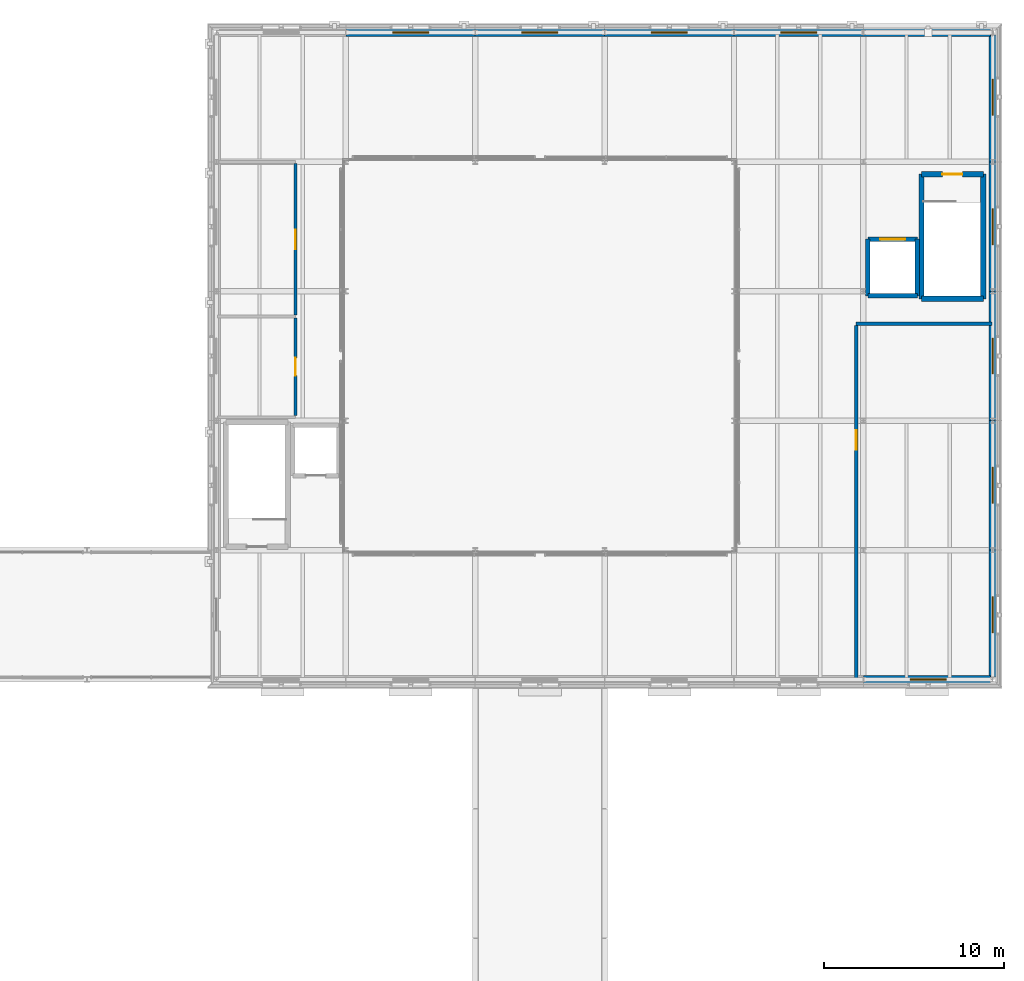
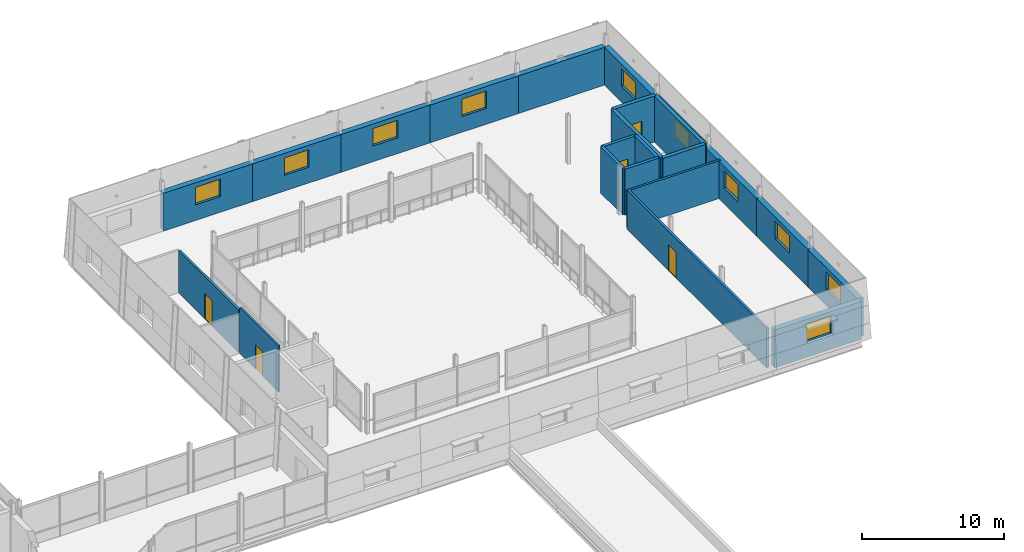
# One storey, part 77 of 115: 23 walls, 10 windows, 5 doors, 15 openings.
"""IFC4 building model written with IfcOpenShell, lengths in metres."""

import ifcopenshell
import ifcopenshell.guid

model = None  # the IFC model being written
_history = None  # IfcOwnerHistory: only IFC2X3 demands one
_inside = {}  # id of a spatial element -> (the spatial element, [elements in it])
_under = {}  # id of a project, library or spatial element -> (it, [spatial elements below it])
_declared = {}  # id of a project -> (the project, [libraries it declares])
_typed = {}  # id of a type object -> (the type object, [elements of that type])
_made_of = {}  # id of a material, layer set ... -> (it, [elements and type objects made of it])


def new_model(schema):
    """Start an empty IFC model of exactly this schema.

    Asked for "IFC4X3", IfcOpenShell would pick the latest addendum, in which some entities
    have other attributes; the version numbers below select the first issue.
    IFC2X3 requires an IfcOwnerHistory on every rooted entity: one is made here for all.
    """
    global model, _history
    if schema == "IFC4X3":
        model = ifcopenshell.file(schema_version=(4, 3, 0, 0))
    else:
        model = ifcopenshell.file(schema=schema)
    _inside.clear()
    _under.clear()
    _declared.clear()
    _typed.clear()
    _made_of.clear()
    _history = None
    if model.schema == "IFC2X3":
        org = make("IfcOrganization", Name="unknown")
        user = make(
            "IfcPersonAndOrganization",
            ThePerson=make("IfcPerson", FamilyName="unknown"),
            TheOrganization=org,
        )
        app = make(
            "IfcApplication",
            ApplicationDeveloper=org,
            Version="unknown",
            ApplicationFullName="unknown",
            ApplicationIdentifier="unknown",
        )
        _history = make(
            "IfcOwnerHistory",
            OwningUser=user,
            OwningApplication=app,
            ChangeAction="ADDED",
            CreationDate=0,
        )
    return model


def make(cls, **values):
    """One entity of the class cls with the attributes given. An attribute that is None is left unset."""
    return model.create_entity(
        cls, **{name: value for name, value in values.items() if value is not None}
    )


def rooted(cls, **values):
    """An entity with a GlobalId (a new one), such as an element, a storey or a relation."""
    return make(cls, GlobalId=ifcopenshell.guid.new(), OwnerHistory=_history, **values)


def si_unit(unit_type, name, prefix=None):
    """IfcSIUnit, for example si_unit("LENGTHUNIT", "METRE", prefix="MILLI")."""
    return make("IfcSIUnit", UnitType=unit_type, Prefix=prefix, Name=name)


def assignment(units):
    """IfcUnitAssignment: the units of a project."""
    return None if units is None else make("IfcUnitAssignment", Units=units)


def point(xyz):
    """IfcCartesianPoint."""
    return None if xyz is None else make("IfcCartesianPoint", Coordinates=xyz)


def direction(xyz):
    """IfcDirection."""
    return None if xyz is None else make("IfcDirection", DirectionRatios=xyz)


def frame(location, z_axis=None, x_axis=None):
    """IfcAxis2Placement3D, a coordinate frame: its origin and axes. An axis left out is left unset."""
    return make(
        "IfcAxis2Placement3D",
        Location=point(location),
        Axis=direction(z_axis),
        RefDirection=direction(x_axis),
    )


def frame_2d(location, x_axis=None):
    """IfcAxis2Placement2D, a coordinate frame in the plane: its origin and x axis."""
    return make(
        "IfcAxis2Placement2D", Location=point(location), RefDirection=direction(x_axis)
    )


def origin():
    """The frame at (0, 0, 0) with its axes left unset."""
    return frame((0.0, 0.0, 0.0))


def place(relative_to, where):
    """IfcLocalPlacement: puts the frame where relative to a parent placement (None: the world)."""
    return make(
        "IfcLocalPlacement", PlacementRelTo=relative_to, RelativePlacement=where
    )


def context(
    kind, dimensions, precision=None, world=None, true_north=None, identifier=None
):
    """IfcGeometricRepresentationContext, for example the 3D "Model" context."""
    return make(
        "IfcGeometricRepresentationContext",
        ContextIdentifier=identifier,
        ContextType=kind,
        CoordinateSpaceDimension=dimensions,
        Precision=precision,
        WorldCoordinateSystem=world,
        TrueNorth=true_north,
    )


def subcontext(parent, identifier, kind, view, scale=None):
    """IfcGeometricRepresentationSubContext, for example "Body" below "Model"."""
    return make(
        "IfcGeometricRepresentationSubContext",
        ContextIdentifier=identifier,
        ContextType=kind,
        ParentContext=parent,
        TargetScale=scale,
        TargetView=view,
    )


def project(units=None, contexts=None):
    """IfcProject with its units and contexts."""
    return rooted(
        "IfcProject",
        Name="project",
        RepresentationContexts=contexts,
        UnitsInContext=assignment(units),
    )


def spatial(cls, under=None, at=None, **own):
    """A site, building, storey or space (cls), placed at a placement, below another one or the project."""
    s = rooted(cls, ObjectPlacement=at, **own)
    if under is not None:
        _under.setdefault(under.id(), (under, []))[1].append(s)
    return s


def profile(cls, at=None, kind="AREA", **sizes):
    """A parametric profile (cls). Its sizes go by their IFC names, for example OverallWidth=200.0."""
    return make(cls, ProfileType=kind, Position=at, **sizes)


def rectangle(**sizes):
    """IfcRectangleProfileDef."""
    return profile("IfcRectangleProfileDef", **sizes)


def extrude(swept, where, along, depth):
    """IfcExtrudedAreaSolid: the profile swept, set in the frame where, extruded along a direction by depth."""
    return make(
        "IfcExtrudedAreaSolid",
        SweptArea=swept,
        Position=where,
        ExtrudedDirection=direction(along),
        Depth=depth,
    )


def shape(context_of_items, identifier, shape_type, items):
    """IfcShapeRepresentation: the items that make up one representation, for example the "Body"."""
    return make(
        "IfcShapeRepresentation",
        ContextOfItems=context_of_items,
        RepresentationIdentifier=identifier,
        RepresentationType=shape_type,
        Items=items,
    )


def material(Name=None, Category=None):
    """IfcMaterial."""
    return make("IfcMaterial", Name=Name, Category=Category)


def layer(
    of_material, thickness, ventilated=None, Name=None, Category=None, Priority=None
):
    """IfcMaterialLayer: one layer of a wall or slab, of a material (None: an air gap)."""
    return make(
        "IfcMaterialLayer",
        Material=of_material,
        LayerThickness=thickness,
        IsVentilated=ventilated,
        Name=Name,
        Category=Category,
        Priority=Priority,
    )


def layer_set(layers, Name=None):
    """IfcMaterialLayerSet."""
    return make("IfcMaterialLayerSet", MaterialLayers=layers, LayerSetName=Name)


def made_of(thing, what):
    """Note that an element or type object is made of a material, layer set ...; save() writes the relation."""
    if what is not None:
        _made_of.setdefault(what.id(), (what, []))[1].append(thing)
    return thing


def type_object(cls, material=None, **own):
    """A type object (cls), such as IfcWallType, which elements share."""
    return made_of(rooted(cls, **own), material)


def element(
    cls,
    number,
    at=None,
    inside=None,
    cuts=None,
    type_object=None,
    material=None,
    context=None,
    identifier="Body",
    shape_type=None,
    held_by="IfcProductDefinitionShape",
    body=None,
    shapes=None,
    **own,
):
    """One element of the class cls, such as IfcWall. Its Tag is "e" and its number.

    at: its placement. inside: the storey or other place that contains it. cuts: it is an
    opening in that element (IfcRelVoidsElement). A single representation is given by context,
    identifier, shape_type and body (its items); several are given by shapes. held_by: the class
    of the entity that holds the representations. save() writes the other relations.
    """
    e = rooted(cls, Tag="e%d" % number, ObjectPlacement=at, **own)
    if body is not None:
        shapes = [shape(context, identifier, shape_type, body)]
    if shapes is not None:
        e.Representation = make(held_by, Representations=shapes)
    if inside is not None:
        _inside.setdefault(inside.id(), (inside, []))[1].append(e)
    if cuts is not None:
        rooted(
            "IfcRelVoidsElement", RelatingBuildingElement=cuts, RelatedOpeningElement=e
        )
    if type_object is not None:
        _typed.setdefault(type_object.id(), (type_object, []))[1].append(e)
    return made_of(e, material)


def fill(opening, filler):
    """IfcRelFillsElement: the door or window that sits in an opening."""
    return rooted(
        "IfcRelFillsElement",
        RelatingOpeningElement=opening,
        RelatedBuildingElement=filler,
    )


def aggregate(whole, parts):
    """IfcRelAggregates: a whole, such as a stair, and the parts it consists of."""
    return rooted("IfcRelAggregates", RelatingObject=whole, RelatedObjects=parts)


def save(model, path):
    """Write the relations noted so far, then the file.

    IfcRelAggregates (storeys below a building ...), IfcRelContainedInSpatialStructure (elements
    in a storey), IfcRelDefinesByType, IfcRelAssociatesMaterial and IfcRelDeclares: one each for
    every whole, place, type object, material and project.
    """
    for whole, parts in _under.values():
        aggregate(whole, parts)
    for where, things in _inside.values():
        rooted(
            "IfcRelContainedInSpatialStructure",
            RelatedElements=things,
            RelatingStructure=where,
        )
    for kind, things in _typed.values():
        rooted("IfcRelDefinesByType", RelatedObjects=things, RelatingType=kind)
    for what, things in _made_of.values():
        rooted("IfcRelAssociatesMaterial", RelatedObjects=things, RelatingMaterial=what)
    for by, libraries in _declared.values():
        rooted("IfcRelDeclares", RelatingContext=by, RelatedDefinitions=libraries)
    model.write(path)


model = new_model("IFC4")

# Units and contexts
model_context = context("Model", 3, precision=1e-05, world=origin(), true_north=direction((0.0, 1.0)))
body_context = subcontext(model_context, "Body", "Model", "MODEL_VIEW")
ifc_project = project(units=[si_unit("LENGTHUNIT", "METRE"), si_unit("AREAUNIT", "SQUARE_METRE"), si_unit("VOLUMEUNIT", "CUBIC_METRE"), si_unit("PLANEANGLEUNIT", "RADIAN"), si_unit("MASSUNIT", "GRAM", prefix="KILO")], contexts=[model_context])

# Site, building, storey
site_placement = place(None, origin())
site = spatial("IfcSite", under=ifc_project, at=site_placement, CompositionType="ELEMENT")
building_placement = place(site_placement, origin())
building = spatial("IfcBuilding", under=site, at=building_placement, Name="Narikvali Park Central Library", CompositionType="ELEMENT")
storey_placement = place(building_placement, frame((0.0, 0.0, 10.199951171875)))
storey = spatial("IfcBuildingStorey", under=building, at=storey_placement, Name="L02", CompositionType="ELEMENT", Elevation=10.199951171875)

# Wall, opening, door
ifc_material_1 = material(Name="Moisture-Resistant Cement Board on Steel Studs", Category="steel")
ifc_layer_1 = layer(ifc_material_1, 0.14990234375, Name="Moisture-Resistant Cement Board on Steel Studs")
ifc_layer_set_1 = layer_set([ifc_layer_1], Name="Moisture-Resistant Cement Board on Steel Studs")
wall_type_1 = type_object("IfcWallType", Name="Moisture-Resistant WC Partition 150", PredefinedType="PARTITIONING", material=ifc_layer_set_1)
wall_1_placement = place(storey_placement, frame((126.800048828125, 93.876953125, 0.0), z_axis=(0.0, 0.0, 1.0), x_axis=(0.0, 1.0, 0.0)))
wall_1 = element("IfcWall", 1, at=wall_1_placement, inside=storey, type_object=wall_type_1, Name="Studio Accessible WC L02 Partition E", PredefinedType="PARTITIONING", context=body_context, shape_type="SweptSolid", body=[
    extrude(rectangle(XDim=5.446044921875, YDim=0.14990234375, at=frame_2d((2.72314453125, 0.0))), origin(), (0.0, 0.0, 1.0), 3.945068359375),
])
opening_1_placement = place(wall_1_placement, frame((2.23291015625, 0.0, 0.0)))
opening_1 = element("IfcOpeningElement", 2, at=opening_1_placement, cuts=wall_1, Name="Opening ID-0011", PredefinedType="OPENING", context=body_context, shape_type="SweptSolid", body=[
    extrude(rectangle(XDim=0.97998046875, YDim=2.10009765625, at=frame_2d((0.489990234375, 1.050048828125))), frame((0.0, 0.0869140625, 0.0), z_axis=(0.0, -1.0, 0.0), x_axis=(1.0, 0.0, 0.0)), (0.0, 0.0, 1.0), 0.173828125),
])
ifc_material_2 = material(Name="Laminate Faced Hardwood Core", Category="wood")
door_type_1 = type_object("IfcDoorType", Name="Accessible WC Outward-Opening Door 980x2100", OperationType="SINGLE_SWING_RIGHT", PredefinedType="DOOR", material=ifc_material_2)
door_1_placement = place(opening_1_placement, frame((0.97998046875, 0.0, 0.0), z_axis=(0.0, 0.0, 1.0), x_axis=(-1.0, 0.0, 0.0)))
door_1 = element("IfcDoor", 3, at=door_1_placement, inside=storey, type_object=door_type_1, Name="Studio Accessible WC L02 Door ID-0011", OperationType="SINGLE_SWING_LEFT", OverallHeight=2.10009765625, OverallWidth=0.97998046875, PredefinedType="DOOR", context=body_context, shape_type="SweptSolid", body=[
    extrude(rectangle(XDim=0.97998046875, YDim=2.10009765625, at=frame_2d((0.489990234375, 1.050048828125))), frame((0.0, 0.02490234375, 0.0), z_axis=(0.0, -1.0, 0.0), x_axis=(1.0, 0.0, 0.0)), (0.0, 0.0, 1.0), 0.050048828125),
])
fill(opening_1, door_1)

# Wall
ifc_material_3 = material(Name="Acoustic Gypsum on Steel Studs", Category="steel")
ifc_layer_2 = layer(ifc_material_3, 0.179931640625, Name="Acoustic Gypsum on Steel Studs")
ifc_layer_set_2 = layer_set([ifc_layer_2], Name="Acoustic Gypsum on Steel Studs")
wall_type_2 = type_object("IfcWallType", Name="Reading Room Acoustic Partition 180", PredefinedType="PARTITIONING", material=ifc_layer_set_2)
wall_2_placement = place(storey_placement, frame((158.0, 99.0, 0.0), z_axis=(0.0, 0.0, 1.0), x_axis=(1.0, 0.0, 0.0)))
element("IfcWall", 4, at=wall_2_placement, inside=storey, type_object=wall_type_2, Name="Oral History Recording Studio Partition N", PredefinedType="PARTITIONING", context=body_context, shape_type="SweptSolid", body=[
    extrude(rectangle(XDim=7.544921875, YDim=0.179931640625, at=frame_2d((3.7724609375, 0.0))), origin(), (0.0, 0.0, 1.0), 3.2451171875),
])

# Wall, opening, door
wall_3_placement = place(storey_placement, frame((158.0, 79.2548828125, 0.0), z_axis=(0.0, 0.0, 1.0), x_axis=(0.0, 1.0, 0.0)))
wall_3 = element("IfcWall", 5, at=wall_3_placement, inside=storey, type_object=wall_type_2, Name="Oral History Recording Studio Partition W", PredefinedType="PARTITIONING", context=body_context, shape_type="SweptSolid", body=[
    extrude(rectangle(XDim=19.653076171875, YDim=0.179931640625, at=frame_2d((9.82666015625, 0.0))), origin(), (0.0, 0.0, 1.0), 3.39501953125),
])
opening_2_placement = place(wall_3_placement, frame((12.739013671875, 0.0, 0.0)))
opening_2 = element("IfcOpeningElement", 6, at=opening_2_placement, cuts=wall_3, Name="Opening ID-0074", PredefinedType="OPENING", context=body_context, shape_type="SweptSolid", body=[
    extrude(rectangle(XDim=1.080078125, YDim=2.199951171875, at=frame_2d((0.5400390625, 1.10009765625))), frame((0.0, 0.10205078125, 0.0), z_axis=(0.0, -1.0, 0.0), x_axis=(1.0, 0.0, 0.0)), (0.0, 0.0, 1.0), 0.203857421875),
])
ifc_material_4 = material(Name="Heavy Acoustic Steel Core Leaf", Category="steel")
door_type_2 = type_object("IfcDoorType", Name="Media Recording Studio Acoustic Door 1080x2200", OperationType="SINGLE_SWING_RIGHT", PredefinedType="DOOR", material=ifc_material_4)
door_2_placement = place(opening_2_placement, frame((1.080078125, 0.0, 0.0), z_axis=(0.0, 0.0, 1.0), x_axis=(-1.0, 0.0, 0.0)))
door_2 = element("IfcDoor", 7, at=door_2_placement, inside=storey, type_object=door_type_2, Name="Oral History Recording Studio Door ID-0074", OperationType="SINGLE_SWING_RIGHT", OverallHeight=2.199951171875, OverallWidth=1.080078125, PredefinedType="DOOR", context=body_context, shape_type="SweptSolid", body=[
    extrude(rectangle(XDim=1.080078125, YDim=2.199951171875, at=frame_2d((0.5400390625, 1.10009765625))), frame((0.0, 0.02490234375, 0.0), z_axis=(0.0, -1.0, 0.0), x_axis=(1.0, 0.0, 0.0)), (0.0, 0.0, 1.0), 0.050048828125),
])
fill(opening_2, door_2)

wall_4_placement = place(storey_placement, frame((126.800048828125, 99.47705078125, 0.0), z_axis=(0.0, 0.0, 1.0), x_axis=(0.0, 1.0, 0.0)))
wall_4 = element("IfcWall", 8, at=wall_4_placement, inside=storey, type_object=wall_type_2, Name="Acoustic Broadcast Control Room Partition E", PredefinedType="PARTITIONING", context=body_context, shape_type="SweptSolid", body=[
    extrude(rectangle(XDim=8.430908203125, YDim=0.179931640625, at=frame_2d((4.21533203125, 0.0))), origin(), (0.0, 0.0, 1.0), 3.635009765625),
])
opening_3_placement = place(wall_4_placement, frame((3.675537109375, 0.0, 0.0)))
opening_3 = element("IfcOpeningElement", 9, at=opening_3_placement, cuts=wall_4, Name="Opening ID-0075", PredefinedType="OPENING", context=body_context, shape_type="SweptSolid", body=[
    extrude(rectangle(XDim=1.080078125, YDim=2.199951171875, at=frame_2d((0.5400390625, 1.10009765625))), frame((0.0, 0.10205078125, 0.0), z_axis=(0.0, -1.0, 0.0), x_axis=(1.0, 0.0, 0.0)), (0.0, 0.0, 1.0), 0.203857421875),
])
door_3_placement = place(opening_3_placement, origin())
door_3 = element("IfcDoor", 10, at=door_3_placement, inside=storey, type_object=door_type_2, Name="Acoustic Broadcast Control Room Door ID-0075", OperationType="SINGLE_SWING_LEFT", OverallHeight=2.199951171875, OverallWidth=1.080078125, PredefinedType="DOOR", context=body_context, shape_type="SweptSolid", body=[
    extrude(rectangle(XDim=1.080078125, YDim=2.199951171875, at=frame_2d((0.5400390625, 1.10009765625))), frame((0.0, 0.02490234375, 0.0), z_axis=(0.0, -1.0, 0.0), x_axis=(1.0, 0.0, 0.0)), (0.0, 0.0, 1.0), 0.050048828125),
])
fill(opening_3, door_3)

# Walls
ifc_material_5 = material(Name="Concrete C40/50", Category="concrete")
ifc_layer_3 = layer(ifc_material_5, 0.25, Name="Concrete C40/50")
ifc_layer_set_3 = layer_set([ifc_layer_3], Name="Concrete C40/50")
wall_type_3 = type_object("IfcWallType", Name="Reinforced Concrete Lift Shaft Wall 250", PredefinedType="SHEAR", material=ifc_layer_set_3)
wall_5_placement = place(storey_placement, frame((158.64990234375, 100.550048828125, 0.0), z_axis=(0.0, 0.0, 1.0), x_axis=(1.0, 0.0, 0.0)))
element("IfcWall", 11, at=wall_5_placement, inside=storey, type_object=wall_type_3, Name="GL-01 L02 Lift Shaft Wall S", PredefinedType="SHEAR", context=body_context, shape_type="SweptSolid", body=[
    extrude(rectangle(XDim=2.75, YDim=0.25, at=frame_2d((1.375, 0.0))), origin(), (0.0, 0.0, 1.0), 3.9599609375),
])
wall_6_placement = place(storey_placement, frame((161.39990234375, 100.550048828125, 0.0), z_axis=(0.0, 0.0, 1.0), x_axis=(0.0, 1.0, 0.0)))
element("IfcWall", 12, at=wall_6_placement, inside=storey, type_object=wall_type_3, Name="GL-01 L02 Lift Shaft Wall E", PredefinedType="SHEAR", context=body_context, shape_type="SweptSolid", body=[
    extrude(rectangle(XDim=3.14990234375, YDim=0.25, at=frame_2d((1.574951171875, 0.0))), origin(), (0.0, 0.0, 1.0), 3.9599609375),
])

# Wall, opening, door
wall_7_placement = place(storey_placement, frame((161.39990234375, 103.699951171875, 0.0), z_axis=(0.0, 0.0, 1.0), x_axis=(-1.0, 0.0, 0.0)))
wall_7 = element("IfcWall", 13, at=wall_7_placement, inside=storey, type_object=wall_type_3, Name="GL-01 L02 Lift Shaft Wall N", PredefinedType="SHEAR", context=body_context, shape_type="SweptSolid", body=[
    extrude(rectangle(XDim=2.75, YDim=0.25, at=frame_2d((1.375, 0.0))), origin(), (0.0, 0.0, 1.0), 3.9599609375),
])
opening_4_placement = place(wall_7_placement, frame((0.675048828125, 0.0, 0.0)))
opening_4 = element("IfcOpeningElement", 14, at=opening_4_placement, cuts=wall_7, Name="Opening LD-021", PredefinedType="OPENING", context=body_context, shape_type="SweptSolid", body=[
    extrude(rectangle(XDim=1.39990234375, YDim=2.199951171875, at=frame_2d((0.699951171875, 1.10009765625))), frame((0.0, 0.136962890625, 0.0), z_axis=(0.0, -1.0, 0.0), x_axis=(1.0, 0.0, 0.0)), (0.0, 0.0, 1.0), 0.27392578125),
])
ifc_material_6 = material(Name="Brushed Stainless Steel S355", Category="steel")
door_type_3 = type_object("IfcDoorType", Name="Book Goods Lift Sliding Landing Door 1400x2200", OperationType="DOUBLE_DOOR_SLIDING", PredefinedType="DOOR", material=ifc_material_6)
door_4_placement = place(opening_4_placement, origin())
door_4 = element("IfcDoor", 15, at=door_4_placement, inside=storey, type_object=door_type_3, Name="GL-01 L02 Lift Landing Sliding Door LD-021", OperationType="DOUBLE_DOOR_SLIDING", OverallHeight=2.199951171875, OverallWidth=1.39990234375, PredefinedType="DOOR", context=body_context, shape_type="SweptSolid", body=[
    extrude(rectangle(XDim=1.39990234375, YDim=2.199951171875, at=frame_2d((0.699951171875, 1.10009765625))), frame((0.0, 0.02490234375, 0.0), z_axis=(0.0, -1.0, 0.0), x_axis=(1.0, 0.0, 0.0)), (0.0, 0.0, 1.0), 0.050048828125),
])
fill(opening_4, door_4)

# Walls
wall_8_placement = place(storey_placement, frame((158.64990234375, 103.699951171875, 0.0), z_axis=(0.0, 0.0, 1.0), x_axis=(0.0, -1.0, 0.0)))
element("IfcWall", 16, at=wall_8_placement, inside=storey, type_object=wall_type_3, Name="GL-01 L02 Lift Shaft Wall W", PredefinedType="SHEAR", context=body_context, shape_type="SweptSolid", body=[
    extrude(rectangle(XDim=3.14990234375, YDim=0.25, at=frame_2d((1.574951171875, 0.0))), origin(), (0.0, 0.0, 1.0), 3.9599609375),
])
ifc_layer_4 = layer(ifc_material_5, 0.300048828125, Name="Concrete C40/50")
ifc_layer_set_4 = layer_set([ifc_layer_4], Name="Concrete C40/50")
wall_type_4 = type_object("IfcWallType", Name="Reinforced Concrete Shear Wall 300", PredefinedType="SHEAR", material=ifc_layer_set_4)
wall_9_placement = place(storey_placement, frame((161.6298828125, 100.3798828125, 0.0), z_axis=(0.0, 0.0, 1.0), x_axis=(1.0, 0.0, 0.0)))
element("IfcWall", 17, at=wall_9_placement, inside=storey, type_object=wall_type_4, Name="C3B L02 Stair Core Shear Wall S", PredefinedType="SHEAR", context=body_context, shape_type="SweptSolid", body=[
    extrude(rectangle(XDim=3.440185546875, YDim=0.300048828125, at=frame_2d((1.72021484375, 0.0))), origin(), (0.0, 0.0, 1.0), 3.9599609375),
])
wall_10_placement = place(storey_placement, frame((165.070068359375, 100.3798828125, 0.0), z_axis=(0.0, 0.0, 1.0), x_axis=(0.0, 1.0, 0.0)))
element("IfcWall", 18, at=wall_10_placement, inside=storey, type_object=wall_type_4, Name="C3B L02 Stair Core Shear Wall E", PredefinedType="SHEAR", context=body_context, shape_type="SweptSolid", body=[
    extrude(rectangle(XDim=6.940185546875, YDim=0.300048828125, at=frame_2d((3.47021484375, 0.0))), origin(), (0.0, 0.0, 1.0), 3.9599609375),
])

# Wall, opening, door
wall_11_placement = place(storey_placement, frame((165.070068359375, 107.320068359375, 0.0), z_axis=(0.0, 0.0, 1.0), x_axis=(-1.0, 0.0, 0.0)))
wall_11 = element("IfcWall", 19, at=wall_11_placement, inside=storey, type_object=wall_type_4, Name="C3B L02 Stair Core Shear Wall N", PredefinedType="SHEAR", context=body_context, shape_type="SweptSolid", body=[
    extrude(rectangle(XDim=3.440185546875, YDim=0.300048828125, at=frame_2d((1.72021484375, 0.0))), origin(), (0.0, 0.0, 1.0), 3.9599609375),
])
opening_5_placement = place(wall_11_placement, frame((1.169921875, 0.0, 0.0)))
opening_5 = element("IfcOpeningElement", 20, at=opening_5_placement, cuts=wall_11, Name="Opening SD-023", PredefinedType="OPENING", context=body_context, shape_type="SweptSolid", body=[
    extrude(rectangle(XDim=1.10009765625, YDim=2.14990234375, at=frame_2d((0.550048828125, 1.074951171875))), frame((0.0, 0.162109375, 0.0), z_axis=(0.0, -1.0, 0.0), x_axis=(1.0, 0.0, 0.0)), (0.0, 0.0, 1.0), 0.323974609375),
])
ifc_material_7 = material(Name="Powder-Coated Steel S275 Fire Leaf", Category="steel")
door_type_4 = type_object("IfcDoorType", Name="Stair Core Smoke-Control Fire Door 1100x2150", OperationType="SINGLE_SWING_LEFT", PredefinedType="DOOR", material=ifc_material_7)
door_5_placement = place(opening_5_placement, frame((1.10009765625, 0.0, 0.0), z_axis=(0.0, 0.0, 1.0), x_axis=(-1.0, 0.0, 0.0)))
door_5 = element("IfcDoor", 21, at=door_5_placement, inside=storey, type_object=door_type_4, Name="ST-06 L02 Stair Exit Door SD-023", OperationType="SINGLE_SWING_LEFT", OverallHeight=2.14990234375, OverallWidth=1.10009765625, PredefinedType="DOOR", context=body_context, shape_type="SweptSolid", body=[
    extrude(rectangle(XDim=1.10009765625, YDim=2.14990234375, at=frame_2d((0.550048828125, 1.074951171875))), frame((0.0, 0.02490234375, 0.0), z_axis=(0.0, -1.0, 0.0), x_axis=(1.0, 0.0, 0.0)), (0.0, 0.0, 1.0), 0.050048828125),
])
fill(opening_5, door_5)

# Wall
wall_12_placement = place(storey_placement, frame((161.6298828125, 107.320068359375, 0.0), z_axis=(0.0, 0.0, 1.0), x_axis=(0.0, -1.0, 0.0)))
element("IfcWall", 22, at=wall_12_placement, inside=storey, type_object=wall_type_4, Name="C3B L02 Stair Core Shear Wall W", PredefinedType="SHEAR", context=body_context, shape_type="SweptSolid", body=[
    extrude(rectangle(XDim=6.940185546875, YDim=0.300048828125, at=frame_2d((3.47021484375, 0.0))), origin(), (0.0, 0.0, 1.0), 3.9599609375),
])

# Wall, opening, window
ifc_material_8 = material(Name="White Honed Limestone over Concrete C35/45", Category="masonry")
ifc_layer_5 = layer(ifc_material_8, 0.43994140625, Name="White Honed Limestone over Concrete C35/45")
ifc_layer_set_5 = layer_set([ifc_layer_5], Name="White Honed Limestone over Concrete C35/45")
wall_type_5 = type_object("IfcWallType", Name="White Limestone Battered Tier2 Wall 440", PredefinedType="SOLIDWALL", material=ifc_layer_set_5)
wall_13_placement = place(storey_placement, frame((158.39990234375, 79.199951171875, 0.0), z_axis=(0.0, 0.0, 1.0), x_axis=(1.0, 0.0, 0.0)))
wall_13 = element("IfcWall", 23, at=wall_13_placement, inside=storey, type_object=wall_type_5, Name="V3 L02 S Exterior Limestone Wall B06", PredefinedType="SOLIDWALL", context=body_context, shape_type="SweptSolid", body=[
    extrude(rectangle(XDim=7.066162109375, YDim=0.43994140625, at=frame_2d((3.533203125, 0.0))), origin(), (0.0, 0.0, 1.0), 3.239990234375),
])
opening_6_placement = place(wall_13_placement, frame((2.60009765625, 0.0, 1.35009765625)))
opening_6 = element("IfcOpeningElement", 24, at=opening_6_placement, cuts=wall_13, Name="Opening WIN-0112", PredefinedType="OPENING", context=body_context, shape_type="SweptSolid", body=[
    extrude(rectangle(XDim=2.0, YDim=1.5, at=frame_2d((1.0, 0.75))), frame((0.0, 0.23193359375, 0.0), z_axis=(0.0, -1.0, 0.0), x_axis=(1.0, 0.0, 0.0)), (0.0, 0.0, 1.0), 0.4638671875),
])
ifc_material_9 = material(Name="Anodised Bronze Aluminium and Low-E Triple Glazing", Category="aluminium")
window_type = type_object("IfcWindowType", Name="Auditorium Acoustic Clerestory Window 2000x1500", PartitioningType="DOUBLE_PANEL_HORIZONTAL", PredefinedType="WINDOW", material=ifc_material_9)
window_1_placement = place(opening_6_placement, origin())
window_1 = element("IfcWindow", 25, at=window_1_placement, inside=storey, type_object=window_type, Name="V3 L02 S Deep-Reveal Window WIN-0112", OverallHeight=1.5, OverallWidth=2.0, PartitioningType="SINGLE_PANEL", PredefinedType="WINDOW", context=body_context, shape_type="SweptSolid", body=[
    extrude(rectangle(XDim=2.0, YDim=1.5, at=frame_2d((1.0, 0.75))), frame((0.0, 0.030029296875, 0.0), z_axis=(0.0, -1.0, 0.0), x_axis=(1.0, 0.0, 0.0)), (0.0, 0.0, 1.0), 0.06005859375),
])
fill(opening_6, window_1)

wall_14_placement = place(storey_placement, frame((165.60009765625, 79.333984375, 0.0), z_axis=(0.0, 0.0, 1.0), x_axis=(0.0, 1.0, 0.0)))
wall_14 = element("IfcWall", 26, at=wall_14_placement, inside=storey, type_object=wall_type_5, Name="V3 L02 E Exterior Limestone Wall B01", PredefinedType="SOLIDWALL", context=body_context, shape_type="SweptSolid", body=[
    extrude(rectangle(XDim=7.06591796875, YDim=0.43994140625, at=frame_2d((3.532958984375, 0.0))), origin(), (0.0, 0.0, 1.0), 3.239990234375),
])
opening_7_placement = place(wall_14_placement, frame((2.466064453125, 0.0, 1.35009765625)))
opening_7 = element("IfcOpeningElement", 27, at=opening_7_placement, cuts=wall_14, Name="Opening WIN-0113", PredefinedType="OPENING", context=body_context, shape_type="SweptSolid", body=[
    extrude(rectangle(XDim=2.0, YDim=1.5, at=frame_2d((1.0, 0.75))), frame((0.0, 0.23193359375, 0.0), z_axis=(0.0, -1.0, 0.0), x_axis=(1.0, 0.0, 0.0)), (0.0, 0.0, 1.0), 0.4638671875),
])
window_2_placement = place(opening_7_placement, origin())
window_2 = element("IfcWindow", 28, at=window_2_placement, inside=storey, type_object=window_type, Name="V3 L02 E Deep-Reveal Window WIN-0113", OverallHeight=1.5, OverallWidth=2.0, PartitioningType="SINGLE_PANEL", PredefinedType="WINDOW", context=body_context, shape_type="SweptSolid", body=[
    extrude(rectangle(XDim=2.0, YDim=1.5, at=frame_2d((1.0, 0.75))), frame((0.0, 0.030029296875, 0.0), z_axis=(0.0, -1.0, 0.0), x_axis=(1.0, 0.0, 0.0)), (0.0, 0.0, 1.0), 0.06005859375),
])
fill(opening_7, window_2)

wall_15_placement = place(storey_placement, frame((165.60009765625, 86.39990234375, 0.0), z_axis=(0.0, 0.0, 1.0), x_axis=(0.0, 1.0, 0.0)))
wall_15 = element("IfcWall", 29, at=wall_15_placement, inside=storey, type_object=wall_type_5, Name="V3 L02 E Exterior Limestone Wall B02", PredefinedType="SOLIDWALL", context=body_context, shape_type="SweptSolid", body=[
    extrude(rectangle(XDim=7.2001953125, YDim=0.43994140625, at=frame_2d((3.60009765625, 0.0))), origin(), (0.0, 0.0, 1.0), 3.239990234375),
])
opening_8_placement = place(wall_15_placement, frame((2.60009765625, 0.0, 1.35009765625)))
opening_8 = element("IfcOpeningElement", 30, at=opening_8_placement, cuts=wall_15, Name="Opening WIN-0114", PredefinedType="OPENING", context=body_context, shape_type="SweptSolid", body=[
    extrude(rectangle(XDim=2.0, YDim=1.5, at=frame_2d((1.0, 0.75))), frame((0.0, 0.23193359375, 0.0), z_axis=(0.0, -1.0, 0.0), x_axis=(1.0, 0.0, 0.0)), (0.0, 0.0, 1.0), 0.4638671875),
])
window_3_placement = place(opening_8_placement, origin())
window_3 = element("IfcWindow", 31, at=window_3_placement, inside=storey, type_object=window_type, Name="V3 L02 E Deep-Reveal Window WIN-0114", OverallHeight=1.5, OverallWidth=2.0, PartitioningType="SINGLE_PANEL", PredefinedType="WINDOW", context=body_context, shape_type="SweptSolid", body=[
    extrude(rectangle(XDim=2.0, YDim=1.5, at=frame_2d((1.0, 0.75))), frame((0.0, 0.030029296875, 0.0), z_axis=(0.0, -1.0, 0.0), x_axis=(1.0, 0.0, 0.0)), (0.0, 0.0, 1.0), 0.06005859375),
])
fill(opening_8, window_3)

wall_16_placement = place(storey_placement, frame((165.60009765625, 93.60009765625, 0.0), z_axis=(0.0, 0.0, 1.0), x_axis=(0.0, 1.0, 0.0)))
wall_16 = element("IfcWall", 32, at=wall_16_placement, inside=storey, type_object=wall_type_5, Name="V3 L02 E Exterior Limestone Wall B03", PredefinedType="SOLIDWALL", context=body_context, shape_type="SweptSolid", body=[
    extrude(rectangle(XDim=7.199951171875, YDim=0.43994140625, at=frame_2d((3.60009765625, 0.0))), origin(), (0.0, 0.0, 1.0), 3.239990234375),
])
opening_9_placement = place(wall_16_placement, frame((2.60009765625, 0.0, 1.35009765625)))
opening_9 = element("IfcOpeningElement", 33, at=opening_9_placement, cuts=wall_16, Name="Opening WIN-0115", PredefinedType="OPENING", context=body_context, shape_type="SweptSolid", body=[
    extrude(rectangle(XDim=2.0, YDim=1.5, at=frame_2d((1.0, 0.75))), frame((0.0, 0.23193359375, 0.0), z_axis=(0.0, -1.0, 0.0), x_axis=(1.0, 0.0, 0.0)), (0.0, 0.0, 1.0), 0.4638671875),
])
window_4_placement = place(opening_9_placement, origin())
window_4 = element("IfcWindow", 34, at=window_4_placement, inside=storey, type_object=window_type, Name="V3 L02 E Deep-Reveal Window WIN-0115", OverallHeight=1.5, OverallWidth=2.0, PartitioningType="SINGLE_PANEL", PredefinedType="WINDOW", context=body_context, shape_type="SweptSolid", body=[
    extrude(rectangle(XDim=2.0, YDim=1.5, at=frame_2d((1.0, 0.75))), frame((0.0, 0.030029296875, 0.0), z_axis=(0.0, -1.0, 0.0), x_axis=(1.0, 0.0, 0.0)), (0.0, 0.0, 1.0), 0.06005859375),
])
fill(opening_9, window_4)

wall_17_placement = place(storey_placement, frame((165.60009765625, 100.800048828125, 0.0), z_axis=(0.0, 0.0, 1.0), x_axis=(0.0, 1.0, 0.0)))
wall_17 = element("IfcWall", 35, at=wall_17_placement, inside=storey, type_object=wall_type_5, Name="V3 L02 E Exterior Limestone Wall B04", PredefinedType="SOLIDWALL", context=body_context, shape_type="SweptSolid", body=[
    extrude(rectangle(XDim=7.199951171875, YDim=0.43994140625, at=frame_2d((3.60009765625, 0.0))), origin(), (0.0, 0.0, 1.0), 3.239990234375),
])
opening_10_placement = place(wall_17_placement, frame((2.60009765625, 0.0, 1.35009765625)))
opening_10 = element("IfcOpeningElement", 36, at=opening_10_placement, cuts=wall_17, Name="Opening WIN-0116", PredefinedType="OPENING", context=body_context, shape_type="SweptSolid", body=[
    extrude(rectangle(XDim=2.0, YDim=1.5, at=frame_2d((1.0, 0.75))), frame((0.0, 0.23193359375, 0.0), z_axis=(0.0, -1.0, 0.0), x_axis=(1.0, 0.0, 0.0)), (0.0, 0.0, 1.0), 0.4638671875),
])
window_5_placement = place(opening_10_placement, origin())
window_5 = element("IfcWindow", 37, at=window_5_placement, inside=storey, type_object=window_type, Name="V3 L02 E Deep-Reveal Window WIN-0116", OverallHeight=1.5, OverallWidth=2.0, PartitioningType="SINGLE_PANEL", PredefinedType="WINDOW", context=body_context, shape_type="SweptSolid", body=[
    extrude(rectangle(XDim=2.0, YDim=1.5, at=frame_2d((1.0, 0.75))), frame((0.0, 0.030029296875, 0.0), z_axis=(0.0, -1.0, 0.0), x_axis=(1.0, 0.0, 0.0)), (0.0, 0.0, 1.0), 0.06005859375),
])
fill(opening_10, window_5)

wall_18_placement = place(storey_placement, frame((165.60009765625, 108.0, 0.0), z_axis=(0.0, 0.0, 1.0), x_axis=(0.0, 1.0, 0.0)))
wall_18 = element("IfcWall", 38, at=wall_18_placement, inside=storey, type_object=wall_type_5, Name="V3 L02 E Exterior Limestone Wall B05", PredefinedType="SOLIDWALL", context=body_context, shape_type="SweptSolid", body=[
    extrude(rectangle(XDim=7.06591796875, YDim=0.43994140625, at=frame_2d((3.532958984375, 0.0))), origin(), (0.0, 0.0, 1.0), 3.239990234375),
])
opening_11_placement = place(wall_18_placement, frame((2.60009765625, 0.0, 1.35009765625)))
opening_11 = element("IfcOpeningElement", 39, at=opening_11_placement, cuts=wall_18, Name="Opening WIN-0117", PredefinedType="OPENING", context=body_context, shape_type="SweptSolid", body=[
    extrude(rectangle(XDim=2.0, YDim=1.5, at=frame_2d((1.0, 0.75))), frame((0.0, 0.23193359375, 0.0), z_axis=(0.0, -1.0, 0.0), x_axis=(1.0, 0.0, 0.0)), (0.0, 0.0, 1.0), 0.4638671875),
])
window_6_placement = place(opening_11_placement, origin())
window_6 = element("IfcWindow", 40, at=window_6_placement, inside=storey, type_object=window_type, Name="V3 L02 E Deep-Reveal Window WIN-0117", OverallHeight=1.5, OverallWidth=2.0, PartitioningType="SINGLE_PANEL", PredefinedType="WINDOW", context=body_context, shape_type="SweptSolid", body=[
    extrude(rectangle(XDim=2.0, YDim=1.5, at=frame_2d((1.0, 0.75))), frame((0.0, 0.030029296875, 0.0), z_axis=(0.0, -1.0, 0.0), x_axis=(1.0, 0.0, 0.0)), (0.0, 0.0, 1.0), 0.06005859375),
])
fill(opening_11, window_6)

# Wall
wall_19_placement = place(storey_placement, frame((165.466064453125, 115.199951171875, 0.0), z_axis=(0.0, 0.0, 1.0), x_axis=(-1.0, 0.0, 0.0)))
element("IfcWall", 41, at=wall_19_placement, inside=storey, type_object=wall_type_5, Name="V3 L02 N Exterior Limestone Wall B01", PredefinedType="SOLIDWALL", context=body_context, shape_type="SweptSolid", body=[
    extrude(rectangle(XDim=7.066162109375, YDim=0.43994140625, at=frame_2d((3.533203125, 0.0))), origin(), (0.0, 0.0, 1.0), 3.239990234375),
])

# Wall, opening, window
wall_20_placement = place(storey_placement, frame((158.39990234375, 115.199951171875, 0.0), z_axis=(0.0, 0.0, 1.0), x_axis=(-1.0, 0.0, 0.0)))
wall_20 = element("IfcWall", 42, at=wall_20_placement, inside=storey, type_object=wall_type_5, Name="V3 L02 N Exterior Limestone Wall B02", PredefinedType="SOLIDWALL", context=body_context, shape_type="SweptSolid", body=[
    extrude(rectangle(XDim=7.199951171875, YDim=0.43994140625, at=frame_2d((3.60009765625, 0.0))), origin(), (0.0, 0.0, 1.0), 3.239990234375),
])
opening_12_placement = place(wall_20_placement, frame((2.60009765625, 0.0, 1.35009765625)))
opening_12 = element("IfcOpeningElement", 43, at=opening_12_placement, cuts=wall_20, Name="Opening WIN-0118", PredefinedType="OPENING", context=body_context, shape_type="SweptSolid", body=[
    extrude(rectangle(XDim=2.0, YDim=1.5, at=frame_2d((1.0, 0.75))), frame((0.0, 0.23193359375, 0.0), z_axis=(0.0, -1.0, 0.0), x_axis=(1.0, 0.0, 0.0)), (0.0, 0.0, 1.0), 0.4638671875),
])
window_7_placement = place(opening_12_placement, origin())
window_7 = element("IfcWindow", 44, at=window_7_placement, inside=storey, type_object=window_type, Name="V3 L02 N Deep-Reveal Window WIN-0118", OverallHeight=1.5, OverallWidth=2.0, PartitioningType="SINGLE_PANEL", PredefinedType="WINDOW", context=body_context, shape_type="SweptSolid", body=[
    extrude(rectangle(XDim=2.0, YDim=1.5, at=frame_2d((1.0, 0.75))), frame((0.0, 0.030029296875, 0.0), z_axis=(0.0, -1.0, 0.0), x_axis=(1.0, 0.0, 0.0)), (0.0, 0.0, 1.0), 0.06005859375),
])
fill(opening_12, window_7)

wall_21_placement = place(storey_placement, frame((151.199951171875, 115.199951171875, 0.0), z_axis=(0.0, 0.0, 1.0), x_axis=(-1.0, 0.0, 0.0)))
wall_21 = element("IfcWall", 45, at=wall_21_placement, inside=storey, type_object=wall_type_5, Name="V3 L02 N Exterior Limestone Wall B03", PredefinedType="SOLIDWALL", context=body_context, shape_type="SweptSolid", body=[
    extrude(rectangle(XDim=7.199951171875, YDim=0.43994140625, at=frame_2d((3.60009765625, 0.0))), origin(), (0.0, 0.0, 1.0), 3.239990234375),
])
opening_13_placement = place(wall_21_placement, frame((2.60009765625, 0.0, 1.35009765625)))
opening_13 = element("IfcOpeningElement", 46, at=opening_13_placement, cuts=wall_21, Name="Opening WIN-0119", PredefinedType="OPENING", context=body_context, shape_type="SweptSolid", body=[
    extrude(rectangle(XDim=2.0, YDim=1.5, at=frame_2d((1.0, 0.75))), frame((0.0, 0.23193359375, 0.0), z_axis=(0.0, -1.0, 0.0), x_axis=(1.0, 0.0, 0.0)), (0.0, 0.0, 1.0), 0.4638671875),
])
window_8_placement = place(opening_13_placement, origin())
window_8 = element("IfcWindow", 47, at=window_8_placement, inside=storey, type_object=window_type, Name="V3 L02 N Deep-Reveal Window WIN-0119", OverallHeight=1.5, OverallWidth=2.0, PartitioningType="SINGLE_PANEL", PredefinedType="WINDOW", context=body_context, shape_type="SweptSolid", body=[
    extrude(rectangle(XDim=2.0, YDim=1.5, at=frame_2d((1.0, 0.75))), frame((0.0, 0.030029296875, 0.0), z_axis=(0.0, -1.0, 0.0), x_axis=(1.0, 0.0, 0.0)), (0.0, 0.0, 1.0), 0.06005859375),
])
fill(opening_13, window_8)

wall_22_placement = place(storey_placement, frame((144.0, 115.199951171875, 0.0), z_axis=(0.0, 0.0, 1.0), x_axis=(-1.0, 0.0, 0.0)))
wall_22 = element("IfcWall", 48, at=wall_22_placement, inside=storey, type_object=wall_type_5, Name="V3 L02 N Exterior Limestone Wall B04", PredefinedType="SOLIDWALL", context=body_context, shape_type="SweptSolid", body=[
    extrude(rectangle(XDim=7.199951171875, YDim=0.43994140625, at=frame_2d((3.60009765625, 0.0))), origin(), (0.0, 0.0, 1.0), 3.239990234375),
])
opening_14_placement = place(wall_22_placement, frame((2.60009765625, 0.0, 1.35009765625)))
opening_14 = element("IfcOpeningElement", 49, at=opening_14_placement, cuts=wall_22, Name="Opening WIN-0120", PredefinedType="OPENING", context=body_context, shape_type="SweptSolid", body=[
    extrude(rectangle(XDim=2.0, YDim=1.5, at=frame_2d((1.0, 0.75))), frame((0.0, 0.23193359375, 0.0), z_axis=(0.0, -1.0, 0.0), x_axis=(1.0, 0.0, 0.0)), (0.0, 0.0, 1.0), 0.4638671875),
])
window_9_placement = place(opening_14_placement, origin())
window_9 = element("IfcWindow", 50, at=window_9_placement, inside=storey, type_object=window_type, Name="V3 L02 N Deep-Reveal Window WIN-0120", OverallHeight=1.5, OverallWidth=2.0, PartitioningType="SINGLE_PANEL", PredefinedType="WINDOW", context=body_context, shape_type="SweptSolid", body=[
    extrude(rectangle(XDim=2.0, YDim=1.5, at=frame_2d((1.0, 0.75))), frame((0.0, 0.030029296875, 0.0), z_axis=(0.0, -1.0, 0.0), x_axis=(1.0, 0.0, 0.0)), (0.0, 0.0, 1.0), 0.06005859375),
])
fill(opening_14, window_9)

wall_23_placement = place(storey_placement, frame((136.800048828125, 115.199951171875, 0.0), z_axis=(0.0, 0.0, 1.0), x_axis=(-1.0, 0.0, 0.0)))
wall_23 = element("IfcWall", 51, at=wall_23_placement, inside=storey, type_object=wall_type_5, Name="V3 L02 N Exterior Limestone Wall B05", PredefinedType="SOLIDWALL", context=body_context, shape_type="SweptSolid", body=[
    extrude(rectangle(XDim=7.199951171875, YDim=0.43994140625, at=frame_2d((3.60009765625, 0.0))), origin(), (0.0, 0.0, 1.0), 3.239990234375),
])
opening_15_placement = place(wall_23_placement, frame((2.60009765625, 0.0, 1.35009765625)))
opening_15 = element("IfcOpeningElement", 52, at=opening_15_placement, cuts=wall_23, Name="Opening WIN-0121", PredefinedType="OPENING", context=body_context, shape_type="SweptSolid", body=[
    extrude(rectangle(XDim=2.0, YDim=1.5, at=frame_2d((1.0, 0.75))), frame((0.0, 0.23193359375, 0.0), z_axis=(0.0, -1.0, 0.0), x_axis=(1.0, 0.0, 0.0)), (0.0, 0.0, 1.0), 0.4638671875),
])
window_10_placement = place(opening_15_placement, origin())
window_10 = element("IfcWindow", 53, at=window_10_placement, inside=storey, type_object=window_type, Name="V3 L02 N Deep-Reveal Window WIN-0121", OverallHeight=1.5, OverallWidth=2.0, PartitioningType="SINGLE_PANEL", PredefinedType="WINDOW", context=body_context, shape_type="SweptSolid", body=[
    extrude(rectangle(XDim=2.0, YDim=1.5, at=frame_2d((1.0, 0.75))), frame((0.0, 0.030029296875, 0.0), z_axis=(0.0, -1.0, 0.0), x_axis=(1.0, 0.0, 0.0)), (0.0, 0.0, 1.0), 0.06005859375),
])
fill(opening_15, window_10)

save(model, "model.ifc")
